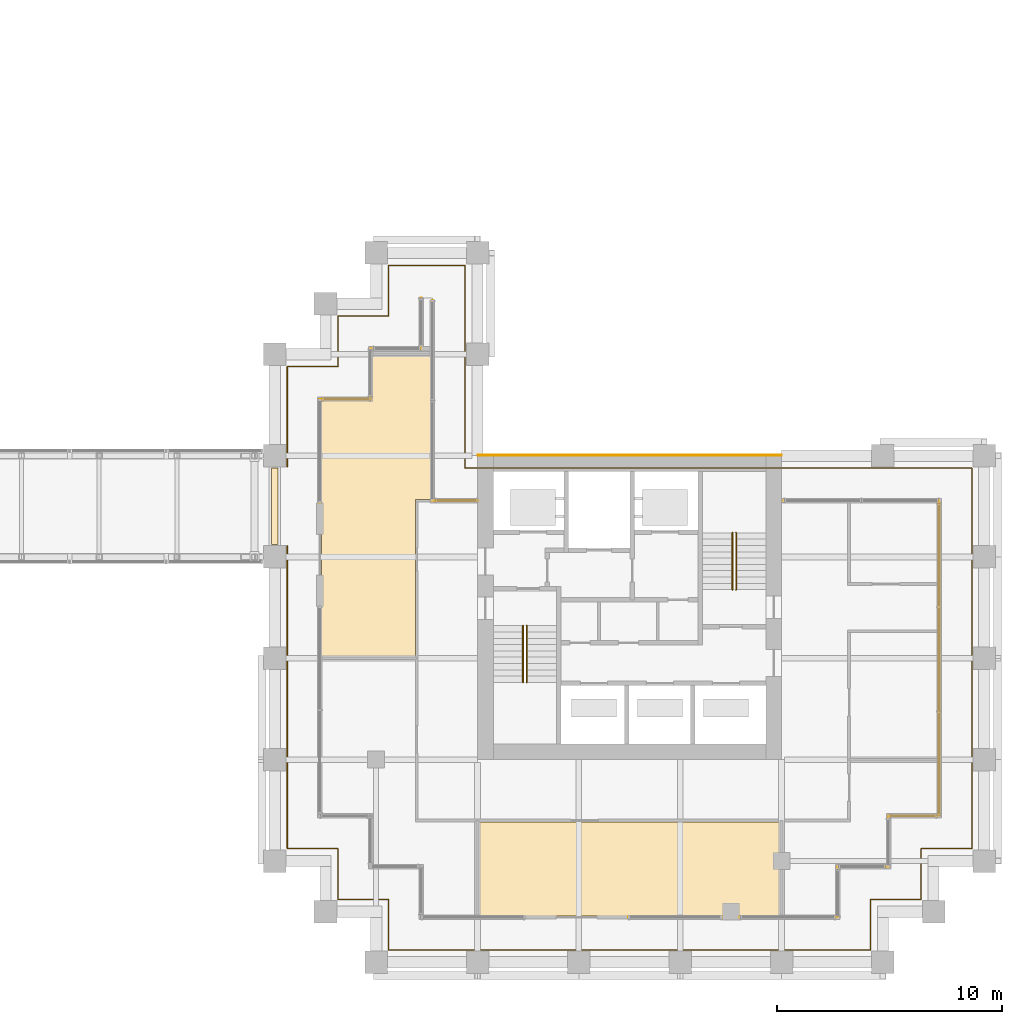
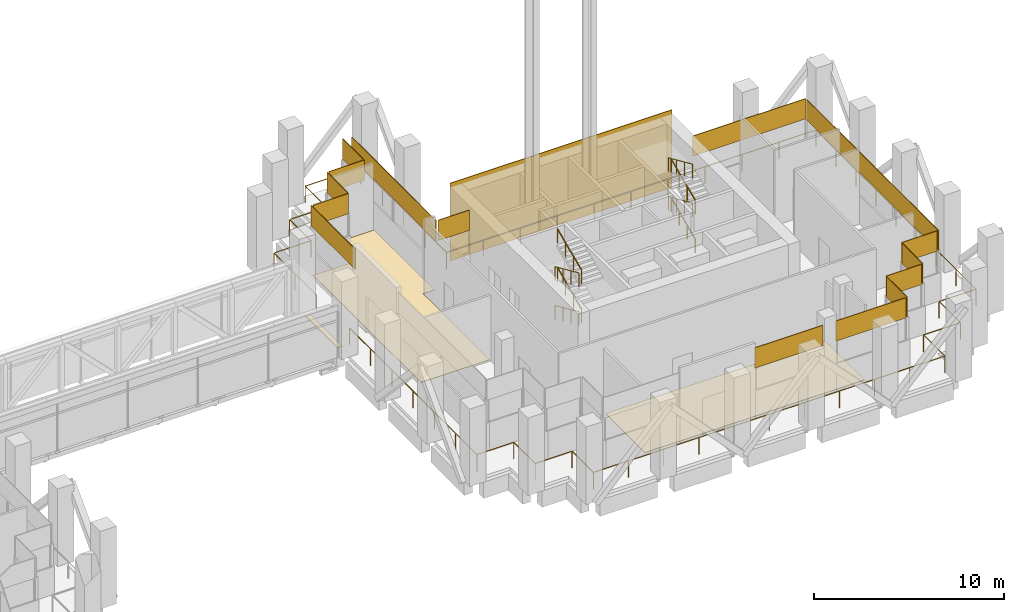
# One storey, part 47 of 48: 19 coverings, 9 railings.
"""IFC4 building model written with IfcOpenShell, lengths in metres."""

from ifc_helpers import new_model, si_unit, direction, frame, origin, origin_2d, place, context, subcontext, project, spatial, polyline, rectangle, circle, outline, extrude, source, transform, mapped, material, layer, layer_set, type_object, element, save


model = new_model("IFC4")

# Units and contexts
model_context = context("Model", 3, precision=1e-05, world=origin(), true_north=direction((0.0, 1.0)))
body_context = subcontext(model_context, "Body", "Model", "MODEL_VIEW")
ifc_project = project(units=[si_unit("LENGTHUNIT", "METRE"), si_unit("AREAUNIT", "SQUARE_METRE"), si_unit("VOLUMEUNIT", "CUBIC_METRE"), si_unit("PLANEANGLEUNIT", "RADIAN"), si_unit("MASSUNIT", "GRAM", prefix="KILO")], contexts=[model_context])

# Site, building, storey
site_placement = place(None, origin())
site = spatial("IfcSite", under=ifc_project, at=site_placement, CompositionType="ELEMENT")
building_placement = place(site_placement, origin())
building = spatial("IfcBuilding", under=site, at=building_placement, Name="Altepetl Exchange Towers", CompositionType="ELEMENT")
storey_placement = place(building_placement, frame((0.0, 0.0, 138.800048828125)))
storey = spatial("IfcBuildingStorey", under=building, at=storey_placement, Name="L34 Refuge and sky lobby", CompositionType="ELEMENT", Elevation=138.800048828125)

# Coverings
ifc_material_1 = material(Name="Stainless steel and elastomer joint cover", Category="steel")
ifc_layer_1 = layer(ifc_material_1, 0.02001953125)
ifc_layer_set_1 = layer_set([ifc_layer_1], Name="Stainless steel and elastomer joint cover")
covering_type_1 = type_object("IfcCoveringType", Name="Flexible expansion joint cover 300", PredefinedType="FLOORING", material=ifc_layer_set_1)
covering_1_placement = place(storey_placement, frame((94.5, 47.25, 0.0)))
element("IfcCovering", 1, at=covering_1_placement, inside=storey, type_object=covering_type_1, Name="BR2 joint cover", PredefinedType="FLOORING", context=body_context, shape_type="SweptSolid", body=[
    extrude(rectangle(XDim=0.300048828125, YDim=3.39990234375, at=origin_2d()), origin(), (0.0, 0.0, 1.0), 0.02001953125),
])
ifc_material_2 = material(Name="Cantera stone", Category="masonry")
ifc_layer_2 = layer(ifc_material_2, 0.030029296875)
ifc_layer_set_2 = layer_set([ifc_layer_2], Name="Cantera stone")
covering_type_2 = type_object("IfcCoveringType", Name="Polished stone floor", PredefinedType="FLOORING", material=ifc_layer_set_2)
covering_2_placement = place(storey_placement, origin())
element("IfcCovering", 2, at=covering_2_placement, inside=storey, type_object=covering_type_2, Name="Refuge area floor finish B34.02", PredefinedType="FLOORING", context=body_context, shape_type="SweptSolid", body=[
    extrude(outline(polyline([(116.9375, 29.0625), (116.9375, 33.237548828125), (103.5625, 33.237548828125), (103.5625, 29.0625), (116.9375, 29.0625)])), origin(), (0.0, 0.0, 1.0), 0.030029296875),
])
covering_3_placement = place(storey_placement, origin())
element("IfcCovering", 3, at=covering_3_placement, inside=storey, type_object=covering_type_2, Name="Bridge lobby floor finish B34.06", PredefinedType="FLOORING", context=body_context, shape_type="SweptSolid", body=[
    extrude(outline(polyline([(101.4375, 47.5625), (101.4375, 53.9375), (98.8125, 53.9375), (98.8125, 51.9375), (96.5625, 51.9375), (96.5625, 40.5625), (100.737548828125, 40.5625), (100.737548828125, 47.5625), (101.4375, 47.5625)])), origin(), (0.0, 0.0, 1.0), 0.030029296875),
])
ifc_material_3 = material(Name="Cantera limestone cladding", Category="masonry")
ifc_layer_3 = layer(ifc_material_3, 0.0400390625)
ifc_layer_set_3 = layer_set([ifc_layer_3], Name="Cantera limestone cladding")
covering_type_3 = type_object("IfcCoveringType", Name="Stone panel 40 cantera", PredefinedType="CLADDING", material=ifc_layer_set_3)
covering_4_placement = place(storey_placement, frame((97.675048828125, 52.0, 3.19970703125), z_axis=(0.0, 0.0, 1.0), x_axis=(-1.0, 0.0, 0.0)))
element("IfcCovering", 4, at=covering_4_placement, inside=storey, type_object=covering_type_3, Name="Stone cladding band", PredefinedType="CLADDING", context=body_context, shape_type="SweptSolid", body=[
    extrude(rectangle(XDim=2.14990234375, YDim=0.0400390625, at=origin_2d()), origin(), (0.0, 0.0, 1.0), 1.300048828125),
])
covering_5_placement = place(storey_placement, frame((96.5, 49.699951171875, 3.19970703125), z_axis=(0.0, 0.0, 1.0), x_axis=(0.0, -1.0, 0.0)))
element("IfcCovering", 5, at=covering_5_placement, inside=storey, type_object=covering_type_3, Name="Stone cladding band", PredefinedType="CLADDING", context=body_context, shape_type="SweptSolid", body=[
    extrude(rectangle(XDim=4.60009765625, YDim=0.0400390625, at=origin_2d()), origin(), (0.0, 0.0, 1.0), 1.300048828125),
])
covering_6_placement = place(storey_placement, frame((112.277587890625, 29.0, 3.19970703125)))
element("IfcCovering", 6, at=covering_6_placement, inside=storey, type_object=covering_type_3, Name="Stone cladding band", PredefinedType="CLADDING", context=body_context, shape_type="SweptSolid", body=[
    extrude(rectangle(XDim=4.155029296875, YDim=0.0400390625, at=origin_2d()), origin(), (0.0, 0.0, 1.0), 1.300048828125),
])
covering_7_placement = place(storey_placement, frame((117.2724609375, 29.0, 3.19970703125)))
element("IfcCovering", 7, at=covering_7_placement, inside=storey, type_object=covering_type_3, Name="Stone cladding band", PredefinedType="CLADDING", context=body_context, shape_type="SweptSolid", body=[
    extrude(rectangle(XDim=4.2548828125, YDim=0.0400390625, at=origin_2d()), origin(), (0.0, 0.0, 1.0), 1.300048828125),
])
covering_8_placement = place(storey_placement, frame((119.5, 30.074951171875, 3.19970703125), z_axis=(0.0, 0.0, 1.0), x_axis=(0.0, 1.0, 0.0)))
element("IfcCovering", 8, at=covering_8_placement, inside=storey, type_object=covering_type_3, Name="Stone cladding band", PredefinedType="CLADDING", context=body_context, shape_type="SweptSolid", body=[
    extrude(rectangle(XDim=2.14990234375, YDim=0.0400390625, at=origin_2d()), origin(), (0.0, 0.0, 1.0), 1.300048828125),
])
covering_9_placement = place(storey_placement, frame((120.574951171875, 31.25, 3.19970703125)))
element("IfcCovering", 9, at=covering_9_placement, inside=storey, type_object=covering_type_3, Name="Stone cladding band", PredefinedType="CLADDING", context=body_context, shape_type="SweptSolid", body=[
    extrude(rectangle(XDim=2.14990234375, YDim=0.0400390625, at=origin_2d()), origin(), (0.0, 0.0, 1.0), 1.300048828125),
])
covering_10_placement = place(storey_placement, frame((121.75, 32.324951171875, 3.19970703125), z_axis=(0.0, 0.0, 1.0), x_axis=(0.0, 1.0, 0.0)))
element("IfcCovering", 10, at=covering_10_placement, inside=storey, type_object=covering_type_3, Name="Stone cladding band", PredefinedType="CLADDING", context=body_context, shape_type="SweptSolid", body=[
    extrude(rectangle(XDim=2.14990234375, YDim=0.0400390625, at=origin_2d()), origin(), (0.0, 0.0, 1.0), 1.300048828125),
])
covering_11_placement = place(storey_placement, frame((122.824951171875, 33.5, 3.19970703125)))
element("IfcCovering", 11, at=covering_11_placement, inside=storey, type_object=covering_type_3, Name="Stone cladding band", PredefinedType="CLADDING", context=body_context, shape_type="SweptSolid", body=[
    extrude(rectangle(XDim=2.14990234375, YDim=0.0400390625, at=origin_2d()), origin(), (0.0, 0.0, 1.0), 1.300048828125),
])
covering_12_placement = place(storey_placement, frame((124.0, 40.449951171875, 3.19970703125), z_axis=(0.0, 0.0, 1.0), x_axis=(0.0, 1.0, 0.0)))
element("IfcCovering", 12, at=covering_12_placement, inside=storey, type_object=covering_type_3, Name="Stone cladding band", PredefinedType="CLADDING", context=body_context, shape_type="SweptSolid", body=[
    extrude(rectangle(XDim=13.89990234375, YDim=0.0400390625, at=origin_2d()), origin(), (0.0, 0.0, 1.0), 1.300048828125),
])
covering_13_placement = place(storey_placement, frame((120.550048828125, 47.5, 3.19970703125), z_axis=(0.0, 0.0, 1.0), x_axis=(-1.0, 0.0, 0.0)))
element("IfcCovering", 13, at=covering_13_placement, inside=storey, type_object=covering_type_3, Name="Stone cladding band", PredefinedType="CLADDING", context=body_context, shape_type="SweptSolid", body=[
    extrude(rectangle(XDim=6.89990234375, YDim=0.0400390625, at=origin_2d()), origin(), (0.0, 0.0, 1.0), 1.300048828125),
])
covering_14_placement = place(storey_placement, frame((102.550048828125, 47.5, 3.19970703125), z_axis=(0.0, 0.0, 1.0), x_axis=(-1.0, 0.0, 0.0)))
element("IfcCovering", 14, at=covering_14_placement, inside=storey, type_object=covering_type_3, Name="Stone cladding band", PredefinedType="CLADDING", context=body_context, shape_type="SweptSolid", body=[
    extrude(rectangle(XDim=1.89990234375, YDim=0.0400390625, at=origin_2d()), origin(), (0.0, 0.0, 1.0), 1.300048828125),
])
covering_15_placement = place(storey_placement, frame((101.5, 51.949951171875, 3.19970703125), z_axis=(0.0, 0.0, 1.0), x_axis=(0.0, 1.0, 0.0)))
element("IfcCovering", 15, at=covering_15_placement, inside=storey, type_object=covering_type_3, Name="Stone cladding band", PredefinedType="CLADDING", context=body_context, shape_type="SweptSolid", body=[
    extrude(rectangle(XDim=8.89990234375, YDim=0.0400390625, at=origin_2d()), origin(), (0.0, 0.0, 1.0), 1.300048828125),
])
for number, where, z_axis, x_axis, name in (
    (16, (101.0, 55.425048828125, 3.19970703125), (0.0, 0.0, 1.0), (0.0, -1.0, 0.0), "Stone cladding band"),
    (17, (99.925048828125, 54.25, 3.19970703125), (0.0, 0.0, 1.0), (-1.0, 0.0, 0.0), "Stone cladding band"),
    (18, (98.75, 53.175048828125, 3.19970703125), (0.0, 0.0, 1.0), (0.0, -1.0, 0.0), "Stone cladding band"),
):
    element("IfcCovering", number, at=place(storey_placement, frame(where, z_axis=z_axis, x_axis=x_axis)), inside=storey, type_object=covering_type_3, Name=name, PredefinedType="CLADDING", context=body_context, shape_type="SweptSolid", body=[
        extrude(rectangle(XDim=2.14990234375, YDim=0.0400390625, at=origin_2d()), origin(), (0.0, 0.0, 1.0), 1.300048828125),
    ])
covering_16_placement = place(storey_placement, frame((110.25, 49.52001953125, 0.0), z_axis=(0.0, 0.0, 1.0), x_axis=(-1.0, 0.0, 0.0)))
element("IfcCovering", 19, at=covering_16_placement, inside=storey, type_object=covering_type_3, Name="Stone cladding panel", PredefinedType="CLADDING", context=body_context, shape_type="SweptSolid", body=[
    extrude(rectangle(XDim=13.5, YDim=0.0400390625, at=origin_2d()), origin(), (0.0, 0.0, 1.0), 5.0),
])

# Railings
ifc_material_4 = material(Name="Steel S355", Category="steel")
railing_type_1 = type_object("IfcRailingType", Name="Guard 1100 steel posts and rail", PredefinedType="GUARDRAIL", material=ifc_material_4)
shared_shape_1 = source(origin(), body_context, "Body", "SweptSolid", [
    extrude(circle(Radius=0.02099609375, at=origin_2d()), origin(), (0.0, 0.0, 1.0), 1.052001953125),
])
railing_1_placement = place(storey_placement, frame((95.050048828125, 45.5, 0.0)))
element("IfcRailing", 20, at=railing_1_placement, inside=storey, type_object=railing_type_1, Name="Loggia guard", PredefinedType="GUARDRAIL", context=body_context, shape_type="SweptSolid", body=[
    extrude(circle(Radius=0.02392578125, at=origin_2d()), frame((0.0, 0.0, 1.076171875), z_axis=(0.0, -1.0, 0.0), x_axis=(1.0, 0.0, 0.0)), (0.0, 0.0, 1.0), 13.449951171875),
    extrude(circle(Radius=0.02392578125, at=origin_2d()), frame((0.0, -13.449951171875, 1.076171875), z_axis=(1.0, 0.0, 0.0), x_axis=(0.0, 1.0, 0.0)), (0.0, 0.0, 1.0), 2.25),
    extrude(circle(Radius=0.02392578125, at=origin_2d()), frame((2.25, -13.449951171875, 1.076171875), z_axis=(0.0, -1.0, 0.0), x_axis=(1.0, 0.0, 0.0)), (0.0, 0.0, 1.0), 2.25),
    extrude(circle(Radius=0.02392578125, at=origin_2d()), frame((2.25, -15.699951171875, 1.076171875), z_axis=(1.0, 0.0, 0.0), x_axis=(0.0, 1.0, 0.0)), (0.0, 0.0, 1.0), 2.25),
    extrude(circle(Radius=0.02392578125, at=origin_2d()), frame((4.5, -15.699951171875, 1.076171875), z_axis=(0.0, -1.0, 0.0), x_axis=(1.0, 0.0, 0.0)), (0.0, 0.0, 1.0), 2.25),
    extrude(circle(Radius=0.02392578125, at=origin_2d()), frame((4.5, -17.949951171875, 1.076171875), z_axis=(1.0, 0.0, 0.0), x_axis=(0.0, 1.0, 0.0)), (0.0, 0.0, 1.0), 21.39990234375),
    extrude(circle(Radius=0.02392578125, at=origin_2d()), frame((25.89990234375, -17.949951171875, 1.076171875), z_axis=(0.0, 1.0, 0.0), x_axis=(-1.0, 0.0, 0.0)), (0.0, 0.0, 1.0), 2.25),
    extrude(circle(Radius=0.02392578125, at=origin_2d()), frame((25.89990234375, -15.699951171875, 1.076171875), z_axis=(1.0, 0.0, 0.0), x_axis=(0.0, 1.0, 0.0)), (0.0, 0.0, 1.0), 2.25),
    extrude(circle(Radius=0.02392578125, at=origin_2d()), frame((28.14990234375, -15.699951171875, 1.076171875), z_axis=(0.0, 1.0, 0.0), x_axis=(-1.0, 0.0, 0.0)), (0.0, 0.0, 1.0), 2.25),
    extrude(circle(Radius=0.02392578125, at=origin_2d()), frame((28.14990234375, -13.449951171875, 1.076171875), z_axis=(1.0, 0.0, 0.0), x_axis=(0.0, 1.0, 0.0)), (0.0, 0.0, 1.0), 2.25),
    extrude(circle(Radius=0.02392578125, at=origin_2d()), frame((30.39990234375, -13.449951171875, 1.076171875), z_axis=(0.0, 1.0, 0.0), x_axis=(-1.0, 0.0, 0.0)), (0.0, 0.0, 1.0), 16.89990234375),
    extrude(circle(Radius=0.02392578125, at=origin_2d()), frame((30.39990234375, 3.449951171875, 1.076171875), z_axis=(-1.0, 0.0, 0.0), x_axis=(0.0, -1.0, 0.0)), (0.0, 0.0, 1.0), 22.5),
    extrude(circle(Radius=0.02392578125, at=origin_2d()), frame((7.89990234375, 3.449951171875, 1.076171875), z_axis=(0.0, 1.0, 0.0), x_axis=(-1.0, 0.0, 0.0)), (0.0, 0.0, 1.0), 9.0),
    extrude(circle(Radius=0.02392578125, at=origin_2d()), frame((7.89990234375, 12.449951171875, 1.076171875), z_axis=(-1.0, 0.0, 0.0), x_axis=(0.0, -1.0, 0.0)), (0.0, 0.0, 1.0), 3.39990234375),
    extrude(circle(Radius=0.02392578125, at=origin_2d()), frame((4.5, 12.449951171875, 1.076171875), z_axis=(0.0, -1.0, 0.0), x_axis=(1.0, 0.0, 0.0)), (0.0, 0.0, 1.0), 2.25),
    extrude(circle(Radius=0.02392578125, at=origin_2d()), frame((4.5, 10.199951171875, 1.076171875), z_axis=(-1.0, 0.0, 0.0), x_axis=(0.0, -1.0, 0.0)), (0.0, 0.0, 1.0), 2.25),
    extrude(circle(Radius=0.02392578125, at=origin_2d()), frame((2.25, 10.199951171875, 1.076171875), z_axis=(0.0, -1.0, 0.0), x_axis=(1.0, 0.0, 0.0)), (0.0, 0.0, 1.0), 2.25),
    extrude(circle(Radius=0.02392578125, at=origin_2d()), frame((2.25, 7.949951171875, 1.076171875), z_axis=(-1.0, 0.0, 0.0), x_axis=(0.0, -1.0, 0.0)), (0.0, 0.0, 1.0), 2.25),
    extrude(circle(Radius=0.02392578125, at=origin_2d()), frame((0.0, 7.949951171875, 1.076171875), z_axis=(0.0, -1.0, 0.0), x_axis=(1.0, 0.0, 0.0)), (0.0, 0.0, 1.0), 4.449951171875),
    mapped(shared_shape_1, transform((0.0, 0.0, 0.0))),
    mapped(shared_shape_1, transform((0.0, -2.24169921875, 0.0))),
    mapped(shared_shape_1, transform((0.0, -4.4833984375, 0.0))),
    mapped(shared_shape_1, transform((0.0, -6.72509765625, 0.0))),
    mapped(shared_shape_1, transform((0.0, -8.966552734375, 0.0))),
    mapped(shared_shape_1, transform((0.0, -11.208251953125, 0.0))),
    mapped(shared_shape_1, transform((0.0, -13.449951171875, 0.0))),
    mapped(shared_shape_1, transform((2.25, -13.449951171875, 0.0))),
    mapped(shared_shape_1, transform((2.25, -15.699951171875, 0.0))),
    mapped(shared_shape_1, transform((4.5, -15.699951171875, 0.0))),
    mapped(shared_shape_1, transform((4.5, -17.949951171875, 0.0))),
    mapped(shared_shape_1, transform((6.639892578125, -17.949951171875, 0.0))),
    mapped(shared_shape_1, transform((8.780029296875, -17.949951171875, 0.0))),
    mapped(shared_shape_1, transform((10.919921875, -17.949951171875, 0.0))),
    mapped(shared_shape_1, transform((13.06005859375, -17.949951171875, 0.0))),
    mapped(shared_shape_1, transform((15.199951171875, -17.949951171875, 0.0))),
    mapped(shared_shape_1, transform((17.33984375, -17.949951171875, 0.0))),
    mapped(shared_shape_1, transform((19.47998046875, -17.949951171875, 0.0))),
    mapped(shared_shape_1, transform((21.619873046875, -17.949951171875, 0.0))),
    mapped(shared_shape_1, transform((23.760009765625, -17.949951171875, 0.0))),
    mapped(shared_shape_1, transform((25.89990234375, -17.949951171875, 0.0))),
    mapped(shared_shape_1, transform((25.89990234375, -15.699951171875, 0.0))),
    mapped(shared_shape_1, transform((28.14990234375, -15.699951171875, 0.0))),
    mapped(shared_shape_1, transform((28.14990234375, -13.449951171875, 0.0))),
    mapped(shared_shape_1, transform((30.39990234375, -13.449951171875, 0.0))),
    mapped(shared_shape_1, transform((30.39990234375, -11.33740234375, 0.0))),
    mapped(shared_shape_1, transform((30.39990234375, -9.22509765625, 0.0))),
    mapped(shared_shape_1, transform((30.39990234375, -7.112548828125, 0.0))),
    mapped(shared_shape_1, transform((30.39990234375, -5.0, 0.0))),
    mapped(shared_shape_1, transform((30.39990234375, -2.887451171875, 0.0))),
    mapped(shared_shape_1, transform((30.39990234375, -0.77490234375, 0.0))),
    mapped(shared_shape_1, transform((30.39990234375, 1.33740234375, 0.0))),
    mapped(shared_shape_1, transform((30.39990234375, 3.449951171875, 0.0))),
    mapped(shared_shape_1, transform((28.14990234375, 3.449951171875, 0.0))),
    mapped(shared_shape_1, transform((25.89990234375, 3.449951171875, 0.0))),
    mapped(shared_shape_1, transform((23.64990234375, 3.449951171875, 0.0))),
    mapped(shared_shape_1, transform((21.39990234375, 3.449951171875, 0.0))),
    mapped(shared_shape_1, transform((19.14990234375, 3.449951171875, 0.0))),
    mapped(shared_shape_1, transform((16.89990234375, 3.449951171875, 0.0))),
    mapped(shared_shape_1, transform((14.64990234375, 3.449951171875, 0.0))),
    mapped(shared_shape_1, transform((12.39990234375, 3.449951171875, 0.0))),
    mapped(shared_shape_1, transform((10.14990234375, 3.449951171875, 0.0))),
    mapped(shared_shape_1, transform((7.89990234375, 3.449951171875, 0.0))),
    mapped(shared_shape_1, transform((7.89990234375, 5.699951171875, 0.0))),
    mapped(shared_shape_1, transform((7.89990234375, 7.949951171875, 0.0))),
    mapped(shared_shape_1, transform((7.89990234375, 10.199951171875, 0.0))),
    mapped(shared_shape_1, transform((7.89990234375, 12.449951171875, 0.0))),
    mapped(shared_shape_1, transform((6.199951171875, 12.449951171875, 0.0))),
    mapped(shared_shape_1, transform((4.5, 12.449951171875, 0.0))),
    mapped(shared_shape_1, transform((4.5, 10.199951171875, 0.0))),
    mapped(shared_shape_1, transform((2.25, 10.199951171875, 0.0))),
    mapped(shared_shape_1, transform((2.25, 7.949951171875, 0.0))),
    mapped(shared_shape_1, transform((0.0, 7.949951171875, 0.0))),
    mapped(shared_shape_1, transform((0.0, 5.72509765625, 0.0))),
    mapped(shared_shape_1, transform((0.0, 3.5, 0.0))),
])
ifc_material_5 = material(Name="Steel", Category="steel")
railing_type_2 = type_object("IfcRailingType", Name="Stair handrail 50 steel tube", PredefinedType="HANDRAIL", material=ifc_material_5)
shared_shape_2 = source(origin(), body_context, "Body", "SweptSolid", [
    extrude(circle(Radius=0.02099609375, at=origin_2d()), origin(), (0.0, 0.0, 1.0), 0.851806640625),
])
railing_2_placement = place(storey_placement, frame((105.52001953125, 41.949951171875, 0.125)))
element("IfcRailing", 21, at=railing_2_placement, inside=storey, type_object=railing_type_2, Name="Stair handrail", PredefinedType="HANDRAIL", context=body_context, shape_type="SweptSolid", body=[
    extrude(circle(Radius=0.02392578125, at=origin_2d()), frame((0.0, 0.0, 0.8759765625), z_axis=(0.0, -0.913139058521, 0.407648205936), x_axis=(1.0, 0.0, 0.0)), (0.0, 0.0, 1.0), 2.759765625),
    mapped(shared_shape_2, transform((0.0, 0.0, 0.0))),
    mapped(shared_shape_2, transform((0.0, -0.840087890625, 0.375))),
    mapped(shared_shape_2, transform((0.0, -1.679931640625, 0.75))),
    mapped(shared_shape_2, transform((0.0, -2.52001953125, 1.125))),
])
railing_3_placement = place(storey_placement, frame((105.679931640625, 39.429931640625, 1.375)))
element("IfcRailing", 22, at=railing_3_placement, inside=storey, type_object=railing_type_2, Name="Stair handrail", PredefinedType="HANDRAIL", context=body_context, shape_type="SweptSolid", body=[
    extrude(circle(Radius=0.02392578125, at=origin_2d()), frame((0.0, 0.0, 0.8759765625), z_axis=(0.0, 0.913139058521, 0.407648205936), x_axis=(-1.0, 0.0, 0.0)), (0.0, 0.0, 1.0), 2.759765625),
    mapped(shared_shape_2, transform((0.0, 0.0, 0.0))),
    mapped(shared_shape_2, transform((0.0, 0.840087890625, 0.375))),
    mapped(shared_shape_2, transform((0.0, 1.679931640625, 0.75))),
    mapped(shared_shape_2, transform((0.0, 2.52001953125, 1.125))),
])
railing_4_placement = place(storey_placement, frame((105.52001953125, 41.949951171875, 2.625)))
element("IfcRailing", 23, at=railing_4_placement, inside=storey, type_object=railing_type_2, Name="Stair handrail", PredefinedType="HANDRAIL", context=body_context, shape_type="SweptSolid", body=[
    extrude(circle(Radius=0.02392578125, at=origin_2d()), frame((0.0, 0.0, 0.8759765625), z_axis=(0.0, -0.913139058521, 0.407648205936), x_axis=(1.0, 0.0, 0.0)), (0.0, 0.0, 1.0), 2.759765625),
    mapped(shared_shape_2, transform((0.0, 0.0, 0.0))),
    mapped(shared_shape_2, transform((0.0, -0.840087890625, 0.375))),
    mapped(shared_shape_2, transform((0.0, -1.679931640625, 0.75))),
    mapped(shared_shape_2, transform((0.0, -2.52001953125, 1.125))),
])
for number, where, name in (
    (24, (105.679931640625, 39.429931640625, 3.875), "Stair handrail"),
    (25, (114.97998046875, 43.550048828125, 0.125), "Stair handrail"),
):
    element("IfcRailing", number, at=place(storey_placement, frame(where)), inside=storey, type_object=railing_type_2, Name=name, PredefinedType="HANDRAIL", context=body_context, shape_type="SweptSolid", body=[
        extrude(circle(Radius=0.02392578125, at=origin_2d()), frame((0.0, 0.0, 0.8759765625), z_axis=(0.0, 0.913139058521, 0.407648205936), x_axis=(-1.0, 0.0, 0.0)), (0.0, 0.0, 1.0), 2.759765625),
        mapped(shared_shape_2, transform((0.0, 0.0, 0.0))),
        mapped(shared_shape_2, transform((0.0, 0.840087890625, 0.375))),
        mapped(shared_shape_2, transform((0.0, 1.679931640625, 0.75))),
        mapped(shared_shape_2, transform((0.0, 2.52001953125, 1.125))),
    ])
railing_5_placement = place(storey_placement, frame((114.820068359375, 46.070068359375, 1.375)))
element("IfcRailing", 26, at=railing_5_placement, inside=storey, type_object=railing_type_2, Name="Stair handrail", PredefinedType="HANDRAIL", context=body_context, shape_type="SweptSolid", body=[
    extrude(circle(Radius=0.02392578125, at=origin_2d()), frame((0.0, 0.0, 0.8759765625), z_axis=(0.0, -0.913139058521, 0.407648205936), x_axis=(1.0, 0.0, 0.0)), (0.0, 0.0, 1.0), 2.759765625),
    mapped(shared_shape_2, transform((0.0, 0.0, 0.0))),
    mapped(shared_shape_2, transform((0.0, -0.840087890625, 0.375))),
    mapped(shared_shape_2, transform((0.0, -1.679931640625, 0.75))),
    mapped(shared_shape_2, transform((0.0, -2.52001953125, 1.125))),
])
railing_6_placement = place(storey_placement, frame((114.97998046875, 43.550048828125, 2.625)))
element("IfcRailing", 27, at=railing_6_placement, inside=storey, type_object=railing_type_2, Name="Stair handrail", PredefinedType="HANDRAIL", context=body_context, shape_type="SweptSolid", body=[
    extrude(circle(Radius=0.02392578125, at=origin_2d()), frame((0.0, 0.0, 0.8759765625), z_axis=(0.0, 0.913139058521, 0.407648205936), x_axis=(-1.0, 0.0, 0.0)), (0.0, 0.0, 1.0), 2.759765625),
    mapped(shared_shape_2, transform((0.0, 0.0, 0.0))),
    mapped(shared_shape_2, transform((0.0, 0.840087890625, 0.375))),
    mapped(shared_shape_2, transform((0.0, 1.679931640625, 0.75))),
    mapped(shared_shape_2, transform((0.0, 2.52001953125, 1.125))),
])
railing_7_placement = place(storey_placement, frame((114.820068359375, 46.070068359375, 3.875)))
element("IfcRailing", 28, at=railing_7_placement, inside=storey, type_object=railing_type_2, Name="Stair handrail", PredefinedType="HANDRAIL", context=body_context, shape_type="SweptSolid", body=[
    extrude(circle(Radius=0.02392578125, at=origin_2d()), frame((0.0, 0.0, 0.8759765625), z_axis=(0.0, -0.913139058521, 0.407648205936), x_axis=(1.0, 0.0, 0.0)), (0.0, 0.0, 1.0), 2.759765625),
    mapped(shared_shape_2, transform((0.0, 0.0, 0.0))),
    mapped(shared_shape_2, transform((0.0, -0.840087890625, 0.375))),
    mapped(shared_shape_2, transform((0.0, -1.679931640625, 0.75))),
    mapped(shared_shape_2, transform((0.0, -2.52001953125, 1.125))),
])

save(model, "model.ifc")
